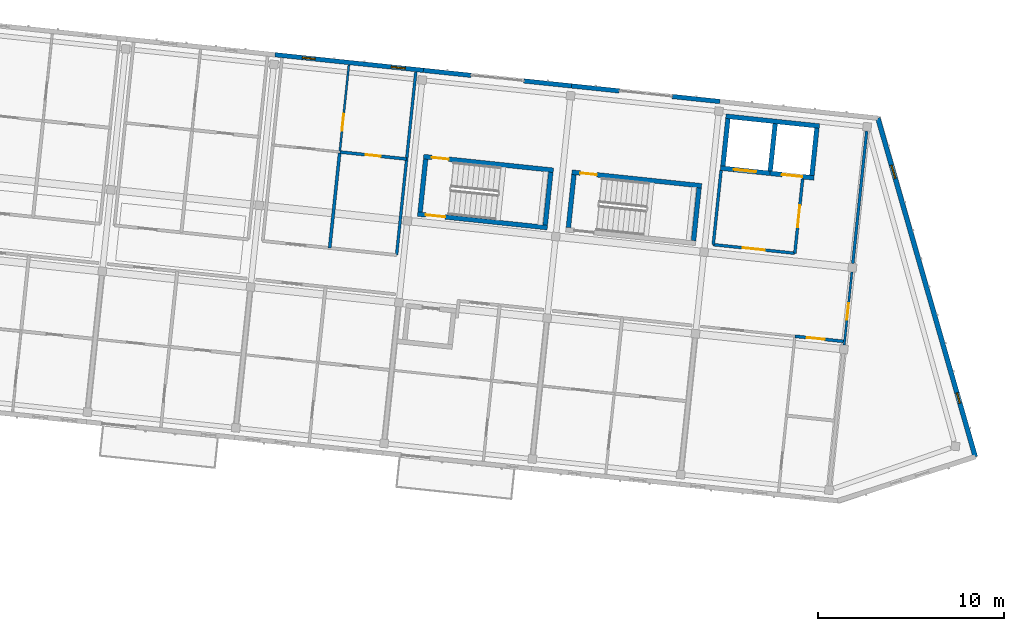
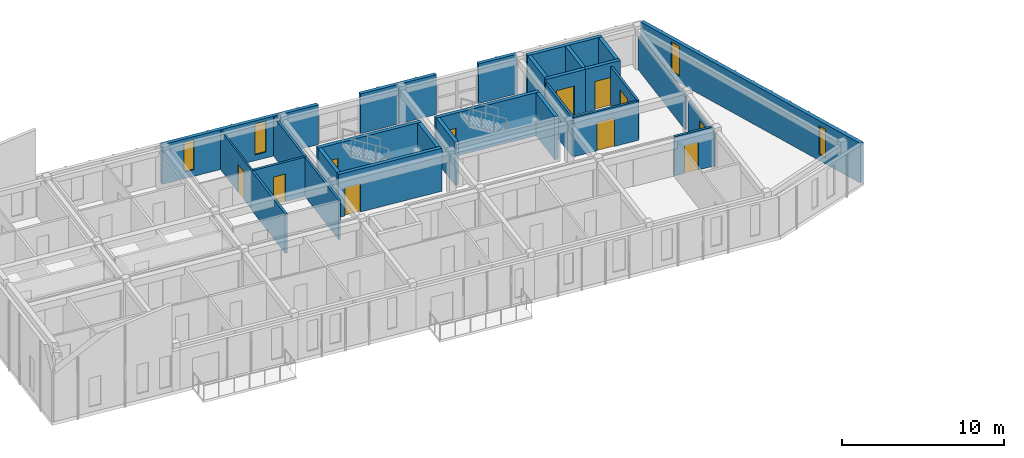
# One storey, part 27 of 45: 29 walls, 11 doors, 4 windows, 15 openings.
"""IFC4 building model written with IfcOpenShell, lengths in metres."""

from ifc_helpers import new_model, si_unit, direction, frame, frame_2d, origin, place, context, subcontext, project, spatial, rectangle, extrude, material, layer, layer_set, type_object, element, fill, save


model = new_model("IFC4")

# Units and contexts
model_context = context("Model", 3, precision=1e-05, world=origin(), true_north=direction((0.0, 1.0)))
body_context = subcontext(model_context, "Body", "Model", "MODEL_VIEW")
ifc_project = project(units=[si_unit("LENGTHUNIT", "METRE"), si_unit("AREAUNIT", "SQUARE_METRE"), si_unit("VOLUMEUNIT", "CUBIC_METRE"), si_unit("PLANEANGLEUNIT", "RADIAN"), si_unit("MASSUNIT", "GRAM", prefix="KILO")], contexts=[model_context])

# Site, building, storey
site_placement = place(None, origin())
site = spatial("IfcSite", under=ifc_project, at=site_placement, CompositionType="ELEMENT")
building_placement = place(site_placement, origin())
building = spatial("IfcBuilding", under=site, at=building_placement, Name="Kestramere Prow Commons", CompositionType="ELEMENT")
storey_placement = place(building_placement, frame((0.0, 0.0, 31.14990234375)))
storey = spatial("IfcBuildingStorey", under=building, at=storey_placement, Name="L09", CompositionType="ELEMENT", Elevation=31.14990234375)

# Wall, openings, windows
ifc_material_1 = material(Name="Weathered Zinc-Titanium Standing-Seam Cladding")
ifc_layer_1 = layer(ifc_material_1, 0.260009765625)
ifc_layer_set_1 = layer_set([ifc_layer_1], Name="Weathered Zinc-Titanium Standing-Seam Cladding")
wall_type_1 = type_object("IfcWallType", Name="EW-PROW-260", PredefinedType="SOLIDWALL", material=ifc_layer_set_1)
wall_1_placement = place(storey_placement, frame((160.36279296875, 109.742431640625, 0.0), z_axis=(0.0, 0.0, 1.0), x_axis=(0.276322184526, -0.961065060409, 0.0)))
wall_1 = element("IfcWall", 1, at=wall_1_placement, inside=storey, type_object=wall_type_1, Name="Block B L09 PRW-N Facet Wall", PredefinedType="SOLIDWALL", context=body_context, shape_type="SweptSolid", body=[
    extrude(rectangle(XDim=18.90673828125, YDim=0.260009765625, at=frame_2d((9.453369140625, 0.0))), origin(), (0.0, 0.0, 1.0), 3.0),
])
opening_1_placement = place(wall_1_placement, frame((2.6298828125, 0.0, 0.52001953125)))
opening_1 = element("IfcOpeningElement", 2, at=opening_1_placement, cuts=wall_1, Name="Opening WN-09", PredefinedType="OPENING", context=body_context, shape_type="SweptSolid", body=[
    extrude(rectangle(XDim=0.739990234375, YDim=2.260009765625, at=frame_2d((0.3701171875, 1.1298828125))), frame((0.0, 0.14501953125, 0.0), z_axis=(0.0, -1.0, 0.0), x_axis=(1.0, 0.0, 0.0)), (0.0, 0.0, 1.0), 0.2900390625),
])
opening_2_placement = place(wall_1_placement, frame((15.336669921875, 0.0, 0.449951171875)))
opening_2 = element("IfcOpeningElement", 3, at=opening_2_placement, cuts=wall_1, Name="Opening WN-01", PredefinedType="OPENING", context=body_context, shape_type="SweptSolid", body=[
    extrude(rectangle(XDim=0.580078125, YDim=2.159912109375, at=frame_2d((0.2900390625, 1.080078125))), frame((0.0, 0.14501953125, 0.0), z_axis=(0.0, -1.0, 0.0), x_axis=(1.0, 0.0, 0.0)), (0.0, 0.0, 1.0), 0.2900390625),
])
ifc_material_2 = material(Name="Low-E Laminated Double Glazing", Category="glass")
window_type_1 = type_object("IfcWindowType", Name="WN-NAR-580A", PartitioningType="SINGLE_PANEL", PredefinedType="WINDOW", material=ifc_material_2)
window_1_placement = place(opening_2_placement, origin())
window_1 = element("IfcWindow", 4, at=window_1_placement, inside=storey, type_object=window_type_1, Name="WN-B-L09-PRW-N-1", OverallHeight=2.159912109375, OverallWidth=0.580078125, PartitioningType="SINGLE_PANEL", PredefinedType="WINDOW", context=body_context, shape_type="SweptSolid", body=[
    extrude(rectangle(XDim=0.580078125, YDim=2.159912109375, at=frame_2d((0.2900390625, 1.080078125))), frame((0.0, 0.030029296875, 0.0), z_axis=(0.0, -1.0, 0.0), x_axis=(1.0, 0.0, 0.0)), (0.0, 0.0, 1.0), 0.06005859375),
])
fill(opening_2, window_1)
window_type_2 = type_object("IfcWindowType", Name="WN-NAR-740A", PartitioningType="SINGLE_PANEL", PredefinedType="WINDOW", material=ifc_material_2)
window_2_placement = place(opening_1_placement, origin())
window_2 = element("IfcWindow", 5, at=window_2_placement, inside=storey, type_object=window_type_2, Name="WN-B-L09-PRW-N-0", OverallHeight=2.260009765625, OverallWidth=0.739990234375, PartitioningType="SINGLE_PANEL", PredefinedType="WINDOW", context=body_context, shape_type="SweptSolid", body=[
    extrude(rectangle(XDim=0.739990234375, YDim=2.260009765625, at=frame_2d((0.3701171875, 1.1298828125))), frame((0.0, 0.030029296875, 0.0), z_axis=(0.0, -1.0, 0.0), x_axis=(1.0, 0.0, 0.0)), (0.0, 0.0, 1.0), 0.06005859375),
])
fill(opening_1, window_2)

ifc_material_3 = material(Name="Fluoropolymer Standing-Seam Zinc-Aluminium Cladding", Category="aluminium")
ifc_layer_2 = layer(ifc_material_3, 0.239990234375)
ifc_layer_set_2 = layer_set([ifc_layer_2], Name="Fluoropolymer Standing-Seam Zinc-Aluminium Cladding")
wall_type_2 = type_object("IfcWallType", Name="EW-SEAM-240", PredefinedType="SOLIDWALL", material=ifc_layer_set_2)
wall_2_placement = place(storey_placement, frame((128.015869140625, 113.142333984375, 0.0), z_axis=(0.0, 0.0, 1.0), x_axis=(0.994522662826, -0.104521161134, 0.0)))
wall_2 = element("IfcWall", 6, at=wall_2_placement, inside=storey, type_object=wall_type_2, Name="Block B L09 North Standing-Seam Wall 3", PredefinedType="SOLIDWALL", context=body_context, shape_type="SweptSolid", body=[
    extrude(rectangle(XDim=8.0, YDim=0.239990234375, at=frame_2d((4.0, 0.0))), origin(), (0.0, 0.0, 1.0), 3.0),
])
opening_3_placement = place(wall_2_placement, frame((1.47998046875, 0.0, 0.5)))
opening_3 = element("IfcOpeningElement", 7, at=opening_3_placement, cuts=wall_2, Name="Opening WN-06", PredefinedType="OPENING", context=body_context, shape_type="SweptSolid", body=[
    extrude(rectangle(XDim=0.679931640625, YDim=2.239990234375, at=frame_2d((0.33984375, 1.1201171875))), frame((0.0, 0.135009765625, 0.0), z_axis=(0.0, -1.0, 0.0), x_axis=(1.0, 0.0, 0.0)), (0.0, 0.0, 1.0), 0.27001953125),
])
opening_4_placement = place(wall_2_placement, frame((6.2705078125, 0.0, 0.43994140625)))
opening_4 = element("IfcOpeningElement", 8, at=opening_4_placement, cuts=wall_2, Name="Opening WN-10", PredefinedType="OPENING", context=body_context, shape_type="SweptSolid", body=[
    extrude(rectangle(XDim=0.760009765625, YDim=2.340087890625, at=frame_2d((0.3798828125, 1.169921875))), frame((0.0, 0.135009765625, 0.0), z_axis=(0.0, -1.0, 0.0), x_axis=(1.0, 0.0, 0.0)), (0.0, 0.0, 1.0), 0.27001953125),
])
window_type_3 = type_object("IfcWindowType", Name="WN-NAR-680A", PartitioningType="SINGLE_PANEL", PredefinedType="WINDOW", material=ifc_material_2)
window_3_placement = place(opening_3_placement, origin())
window_3 = element("IfcWindow", 9, at=window_3_placement, inside=storey, type_object=window_type_3, Name="WN-B-L09-N-2-0", OverallHeight=2.239990234375, OverallWidth=0.679931640625, PartitioningType="SINGLE_PANEL", PredefinedType="WINDOW", context=body_context, shape_type="SweptSolid", body=[
    extrude(rectangle(XDim=0.679931640625, YDim=2.239990234375, at=frame_2d((0.33984375, 1.1201171875))), frame((0.0, 0.030029296875, 0.0), z_axis=(0.0, -1.0, 0.0), x_axis=(1.0, 0.0, 0.0)), (0.0, 0.0, 1.0), 0.06005859375),
])
fill(opening_3, window_3)
window_type_4 = type_object("IfcWindowType", Name="WN-NAR-760A", PartitioningType="SINGLE_PANEL", PredefinedType="WINDOW", material=ifc_material_2)
window_4_placement = place(opening_4_placement, origin())
window_4 = element("IfcWindow", 10, at=window_4_placement, inside=storey, type_object=window_type_4, Name="WN-B-L09-N-2-1", OverallHeight=2.340087890625, OverallWidth=0.760009765625, PartitioningType="SINGLE_PANEL", PredefinedType="WINDOW", context=body_context, shape_type="SweptSolid", body=[
    extrude(rectangle(XDim=0.760009765625, YDim=2.340087890625, at=frame_2d((0.3798828125, 1.169921875))), frame((0.0, 0.030029296875, 0.0), z_axis=(0.0, -1.0, 0.0), x_axis=(1.0, 0.0, 0.0)), (0.0, 0.0, 1.0), 0.06005859375),
])
fill(opening_4, window_4)

# Walls
for number, where, z_axis, x_axis, name in (
    (11, (135.97216796875, 112.30615234375, 0.0), (0.0, 0.0, 1.0), (0.99451635776, -0.104581136677, 0.0), "Block B L09 North Standing-Seam Pier 4L"),
    (12, (141.367431640625, 111.739013671875, 0.0), (0.0, 0.0, 1.0), (0.99451635776, -0.104581136677, 0.0), "Block B L09 North Standing-Seam Pier 4R"),
):
    element("IfcWall", number, at=place(storey_placement, frame(where, z_axis=z_axis, x_axis=x_axis)), inside=storey, type_object=wall_type_2, Name=name, PredefinedType="SOLIDWALL", context=body_context, shape_type="SweptSolid", body=[
        extrude(rectangle(XDim=2.574951171875, YDim=0.239990234375, at=frame_2d((1.28759765625, 0.0))), origin(), (0.0, 0.0, 1.0), 3.0),
    ])
wall_3_placement = place(storey_placement, frame((143.92822265625, 111.4697265625, 0.0), z_axis=(0.0, 0.0, 1.0), x_axis=(0.994527249958, -0.104477505191, 0.0)))
element("IfcWall", 13, at=wall_3_placement, inside=storey, type_object=wall_type_2, Name="Block B L09 North Standing-Seam Pier 5L", PredefinedType="SOLIDWALL", context=body_context, shape_type="SweptSolid", body=[
    extrude(rectangle(XDim=2.5751953125, YDim=0.239990234375, at=frame_2d((1.28759765625, 0.0))), origin(), (0.0, 0.0, 1.0), 3.0),
])
wall_4_placement = place(storey_placement, frame((149.32373046875, 110.90283203125, 0.0), z_axis=(0.0, 0.0, 1.0), x_axis=(0.99451635776, -0.104581136677, 0.0)))
element("IfcWall", 14, at=wall_4_placement, inside=storey, type_object=wall_type_2, Name="Block B L09 North Standing-Seam Pier 5R", PredefinedType="SOLIDWALL", context=body_context, shape_type="SweptSolid", body=[
    extrude(rectangle(XDim=2.574951171875, YDim=0.239990234375, at=frame_2d((1.28759765625, 0.0))), origin(), (0.0, 0.0, 1.0), 3.0),
])
ifc_material_4 = material(Name="Concrete C40/50", Category="concrete")
ifc_layer_3 = layer(ifc_material_4, 0.25)
ifc_layer_set_3 = layer_set([ifc_layer_3], Name="Concrete C40/50")
wall_type_3 = type_object("IfcWallType", Name="W-CORE-250", PredefinedType="SHEAR", material=ifc_layer_set_3)
wall_5_placement = place(storey_placement, frame((152.203857421875, 109.845947265625, 0.0), z_axis=(0.0, 0.0, 1.0), x_axis=(0.994522922189, -0.104518693261, 0.0)))
element("IfcWall", 15, at=wall_5_placement, inside=storey, type_object=wall_type_3, Name="Block B L09 Lift Core Back Wall", PredefinedType="SHEAR", context=body_context, shape_type="SweptSolid", body=[
    extrude(rectangle(XDim=5.050048828125, YDim=0.25, at=frame_2d((2.52490234375, 0.0))), origin(), (0.0, 0.0, 1.0), 3.25),
])

# Wall, opening, door
wall_6_placement = place(storey_placement, frame((151.9111328125, 107.061279296875, 0.0), z_axis=(0.0, 0.0, 1.0), x_axis=(0.994524939068, -0.104499500343, 0.0)))
wall_6 = element("IfcWall", 16, at=wall_6_placement, inside=storey, type_object=wall_type_3, Name="Block B L09 Fire Lift Shaft Front Wall", PredefinedType="SHEAR", context=body_context, shape_type="SweptSolid", body=[
    extrude(rectangle(XDim=2.675048828125, YDim=0.25, at=frame_2d((1.33740234375, 0.0))), origin(), (0.0, 0.0, 1.0), 3.25),
])
opening_5_placement = place(wall_6_placement, frame((0.719970703125, 0.0, 0.0)))
opening_5 = element("IfcOpeningElement", 17, at=opening_5_placement, cuts=wall_6, Name="Opening LD-02", PredefinedType="OPENING", context=body_context, shape_type="SweptSolid", body=[
    extrude(rectangle(XDim=1.199951171875, YDim=2.199951171875, at=frame_2d((0.60009765625, 1.10009765625))), frame((0.0, 0.139892578125, 0.0), z_axis=(0.0, -1.0, 0.0), x_axis=(1.0, 0.0, 0.0)), (0.0, 0.0, 1.0), 0.280029296875),
])
ifc_material_5 = material(Name="Brushed Stainless Steel 316", Category="steel")
door_type_1 = type_object("IfcDoorType", Name="LD-02", OperationType="DOUBLE_DOOR_SLIDING", PredefinedType="DOOR", material=ifc_material_5)
door_1_placement = place(opening_5_placement, origin())
door_1 = element("IfcDoor", 18, at=door_1_placement, inside=storey, type_object=door_type_1, Name="FL-B1 L09 Lift Landing Door", OperationType="DOUBLE_DOOR_SLIDING", OverallHeight=2.199951171875, OverallWidth=1.199951171875, PredefinedType="DOOR", context=body_context, shape_type="SweptSolid", body=[
    extrude(rectangle(XDim=1.199951171875, YDim=2.199951171875, at=frame_2d((0.60009765625, 1.10009765625))), frame((0.0, 0.02490234375, 0.0), z_axis=(0.0, -1.0, 0.0), x_axis=(1.0, 0.0, 0.0)), (0.0, 0.0, 1.0), 0.050048828125),
])
fill(opening_5, door_1)

wall_7_placement = place(storey_placement, frame((154.571533203125, 106.78173828125, 0.0), z_axis=(0.0, 0.0, 1.0), x_axis=(0.994520650134, -0.1045403102, 0.0)))
wall_7 = element("IfcWall", 19, at=wall_7_placement, inside=storey, type_object=wall_type_3, Name="Block B L09 Passenger Lift Shaft Front Wall", PredefinedType="SHEAR", context=body_context, shape_type="SweptSolid", body=[
    extrude(rectangle(XDim=2.375, YDim=0.25, at=frame_2d((1.1875, 0.0))), origin(), (0.0, 0.0, 1.0), 3.25),
])
opening_6_placement = place(wall_7_placement, frame((0.64990234375, 0.0, 0.0)))
opening_6 = element("IfcOpeningElement", 20, at=opening_6_placement, cuts=wall_7, Name="Opening LD-01", PredefinedType="OPENING", context=body_context, shape_type="SweptSolid", body=[
    extrude(rectangle(XDim=1.10009765625, YDim=2.14990234375, at=frame_2d((0.550048828125, 1.074951171875))), frame((0.0, 0.139892578125, 0.0), z_axis=(0.0, -1.0, 0.0), x_axis=(1.0, 0.0, 0.0)), (0.0, 0.0, 1.0), 0.280029296875),
])
ifc_material_6 = material(Name="Brushed Stainless Steel 304", Category="steel")
door_type_2 = type_object("IfcDoorType", Name="LD-01", OperationType="DOUBLE_DOOR_SLIDING", PredefinedType="DOOR", material=ifc_material_6)
door_2_placement = place(opening_6_placement, origin())
door_2 = element("IfcDoor", 21, at=door_2_placement, inside=storey, type_object=door_type_2, Name="PL-B2 L09 Lift Landing Door", OperationType="DOUBLE_DOOR_SLIDING", OverallHeight=2.14990234375, OverallWidth=1.10009765625, PredefinedType="DOOR", context=body_context, shape_type="SweptSolid", body=[
    extrude(rectangle(XDim=1.10009765625, YDim=2.14990234375, at=frame_2d((0.550048828125, 1.074951171875))), frame((0.0, 0.02490234375, 0.0), z_axis=(0.0, -1.0, 0.0), x_axis=(1.0, 0.0, 0.0)), (0.0, 0.0, 1.0), 0.050048828125),
])
fill(opening_6, door_2)

# Walls
for number, where, z_axis, x_axis, name in (
    (22, (152.048583984375, 107.172607421875, 0.0), (0.0, 0.0, 1.0), (0.104555197931, 0.994519085079, 0.0), "Block B L09 Lift Core Side Wall L"),
    (23, (154.584716796875, 106.906005859375, 0.0), (0.0, 0.0, 1.0), (0.104555197931, 0.994519085079, 0.0), "Block B L09 Lift Core Side Wall M"),
):
    element("IfcWall", number, at=place(storey_placement, frame(where, z_axis=z_axis, x_axis=x_axis)), inside=storey, type_object=wall_type_3, Name=name, PredefinedType="SHEAR", context=body_context, shape_type="SweptSolid", body=[
        extrude(rectangle(XDim=2.5498046875, YDim=0.25, at=frame_2d((1.27490234375, 0.0))), origin(), (0.0, 0.0, 1.0), 3.25),
    ])
wall_8_placement = place(storey_placement, frame((156.822265625, 106.670654296875, 0.0), z_axis=(0.0, 0.0, 1.0), x_axis=(0.104545242946, 0.99452013161, 0.0)))
element("IfcWall", 24, at=wall_8_placement, inside=storey, type_object=wall_type_3, Name="Block B L09 Lift Core Side Wall R", PredefinedType="SHEAR", context=body_context, shape_type="SweptSolid", body=[
    extrude(rectangle(XDim=2.550048828125, YDim=0.25, at=frame_2d((1.27490234375, 0.0))), origin(), (0.0, 0.0, 1.0), 3.25),
])

# Wall, opening, door
wall_9_placement = place(storey_placement, frame((135.988525390625, 107.678955078125, 0.0), z_axis=(0.0, 0.0, 1.0), x_axis=(0.994522066748, -0.104526832686, 0.0)))
wall_9 = element("IfcWall", 25, at=wall_9_placement, inside=storey, type_object=wall_type_3, Name="ST-B1 L09 North Shaft Wall", PredefinedType="SHEAR", context=body_context, shape_type="SweptSolid", body=[
    extrude(rectangle(XDim=7.0, YDim=0.25, at=frame_2d((3.5, 0.0))), origin(), (0.0, 0.0, 1.0), 3.25),
])
opening_7_placement = place(wall_9_placement, frame((0.449951171875, 0.0, 0.0)))
opening_7 = element("IfcOpeningElement", 26, at=opening_7_placement, cuts=wall_9, Name="Opening ID-08", PredefinedType="OPENING", context=body_context, shape_type="SweptSolid", body=[
    extrude(rectangle(XDim=0.89990234375, YDim=2.10009765625, at=frame_2d((0.449951171875, 1.050048828125))), frame((0.0, 0.139892578125, 0.0), z_axis=(0.0, -1.0, 0.0), x_axis=(1.0, 0.0, 0.0)), (0.0, 0.0, 1.0), 0.280029296875),
])
ifc_material_7 = material(Name="Engineered Timber Flush Door", Category="wood")
door_type_3 = type_object("IfcDoorType", Name="D-RM-01", OperationType="NOTDEFINED", PredefinedType="DOOR", material=ifc_material_7)
door_3_placement = place(opening_7_placement, origin())
door_3 = element("IfcDoor", 27, at=door_3_placement, inside=storey, type_object=door_type_3, Name="ST-B1 L09 North Room Door", OperationType="SINGLE_SWING_RIGHT", OverallHeight=2.10009765625, OverallWidth=0.89990234375, PredefinedType="DOOR", context=body_context, shape_type="SweptSolid", body=[
    extrude(rectangle(XDim=0.89990234375, YDim=2.10009765625, at=frame_2d((0.449951171875, 1.050048828125))), frame((0.0, 0.02490234375, 0.0), z_axis=(0.0, -1.0, 0.0), x_axis=(1.0, 0.0, 0.0)), (0.0, 0.0, 1.0), 0.050048828125),
])
fill(opening_7, door_3)

wall_10_placement = place(storey_placement, frame((135.66455078125, 104.595947265625, 0.0), z_axis=(0.0, 0.0, 1.0), x_axis=(0.994522066748, -0.104526832686, 0.0)))
wall_10 = element("IfcWall", 28, at=wall_10_placement, inside=storey, type_object=wall_type_3, Name="ST-B1 L09 Corridor Shaft Wall", PredefinedType="SHEAR", context=body_context, shape_type="SweptSolid", body=[
    extrude(rectangle(XDim=7.0, YDim=0.25, at=frame_2d((3.5, 0.0))), origin(), (0.0, 0.0, 1.0), 3.25),
])
opening_8_placement = place(wall_10_placement, frame((0.449951171875, 0.0, 0.0)))
opening_8 = element("IfcOpeningElement", 29, at=opening_8_placement, cuts=wall_10, Name="Opening ID-01", PredefinedType="OPENING", context=body_context, shape_type="SweptSolid", body=[
    extrude(rectangle(XDim=1.050048828125, YDim=2.14990234375, at=frame_2d((0.52490234375, 1.074951171875))), frame((0.0, 0.139892578125, 0.0), z_axis=(0.0, -1.0, 0.0), x_axis=(1.0, 0.0, 0.0)), (0.0, 0.0, 1.0), 0.280029296875),
])
ifc_material_8 = material(Name="Fire-Rated Timber and Steel Frame", Category="steel")
door_type_4 = type_object("IfcDoorType", Name="FD-ST-01", OperationType="NOTDEFINED", PredefinedType="DOOR", material=ifc_material_8)
door_4_placement = place(opening_8_placement, origin())
door_4 = element("IfcDoor", 30, at=door_4_placement, inside=storey, type_object=door_type_4, Name="ST-B1 L09 Protected Stair Door", OperationType="SINGLE_SWING_RIGHT", OverallHeight=2.14990234375, OverallWidth=1.050048828125, PredefinedType="DOOR", context=body_context, shape_type="SweptSolid", body=[
    extrude(rectangle(XDim=1.050048828125, YDim=2.14990234375, at=frame_2d((0.52490234375, 1.074951171875))), frame((0.0, 0.02490234375, 0.0), z_axis=(0.0, -1.0, 0.0), x_axis=(1.0, 0.0, 0.0)), (0.0, 0.0, 1.0), 0.050048828125),
])
fill(opening_8, door_4)

# Walls
for number, where, z_axis, x_axis, name in (
    (31, (135.802001953125, 104.707275390625, 0.0), (0.0, 0.0, 1.0), (0.104515324063, 0.994523276267, 0.0), "ST-B1 L09 Near Shaft Wall"),
    (32, (142.514892578125, 104.001708984375, 0.0), (0.0, 0.0, 1.0), (0.104515324063, 0.994523276267, 0.0), "ST-B1 L09 Far Shaft Wall"),
):
    element("IfcWall", number, at=place(storey_placement, frame(where, z_axis=z_axis, x_axis=x_axis)), inside=storey, type_object=wall_type_3, Name=name, PredefinedType="SHEAR", context=body_context, shape_type="SweptSolid", body=[
        extrude(rectangle(XDim=2.849853515625, YDim=0.25, at=frame_2d((1.4248046875, 0.0))), origin(), (0.0, 0.0, 1.0), 3.25),
    ])

# Wall, opening, door
wall_11_placement = place(storey_placement, frame((143.94482421875, 106.8427734375, 0.0), z_axis=(0.0, 0.0, 1.0), x_axis=(0.994522066748, -0.104526832686, 0.0)))
wall_11 = element("IfcWall", 33, at=wall_11_placement, inside=storey, type_object=wall_type_3, Name="ST-B2 L09 North Shaft Wall", PredefinedType="SHEAR", context=body_context, shape_type="SweptSolid", body=[
    extrude(rectangle(XDim=7.0, YDim=0.25, at=frame_2d((3.5, 0.0))), origin(), (0.0, 0.0, 1.0), 3.25),
])
opening_9_placement = place(wall_11_placement, frame((0.449951171875, 0.0, 0.0)))
opening_9 = element("IfcOpeningElement", 34, at=opening_9_placement, cuts=wall_11, Name="Opening ID-08", PredefinedType="OPENING", context=body_context, shape_type="SweptSolid", body=[
    extrude(rectangle(XDim=0.89990234375, YDim=2.10009765625, at=frame_2d((0.449951171875, 1.050048828125))), frame((0.0, 0.139892578125, 0.0), z_axis=(0.0, -1.0, 0.0), x_axis=(1.0, 0.0, 0.0)), (0.0, 0.0, 1.0), 0.280029296875),
])
door_5_placement = place(opening_9_placement, origin())
door_5 = element("IfcDoor", 35, at=door_5_placement, inside=storey, type_object=door_type_3, Name="ST-B2 L09 North Room Door", OperationType="SINGLE_SWING_RIGHT", OverallHeight=2.10009765625, OverallWidth=0.89990234375, PredefinedType="DOOR", context=body_context, shape_type="SweptSolid", body=[
    extrude(rectangle(XDim=0.89990234375, YDim=2.10009765625, at=frame_2d((0.449951171875, 1.050048828125))), frame((0.0, 0.02490234375, 0.0), z_axis=(0.0, -1.0, 0.0), x_axis=(1.0, 0.0, 0.0)), (0.0, 0.0, 1.0), 0.050048828125),
])
fill(opening_9, door_5)

# Walls
for number, where, z_axis, x_axis, name in (
    (36, (143.758056640625, 103.87109375, 0.0), (0.0, 0.0, 1.0), (0.104515324063, 0.994523276267, 0.0), "ST-B2 L09 Near Shaft Wall"),
    (37, (150.47119140625, 103.16552734375, 0.0), (0.0, 0.0, 1.0), (0.104515324063, 0.994523276267, 0.0), "ST-B2 L09 Far Shaft Wall"),
):
    element("IfcWall", number, at=place(storey_placement, frame(where, z_axis=z_axis, x_axis=x_axis)), inside=storey, type_object=wall_type_3, Name=name, PredefinedType="SHEAR", context=body_context, shape_type="SweptSolid", body=[
        extrude(rectangle(XDim=2.849853515625, YDim=0.25, at=frame_2d((1.4248046875, 0.0))), origin(), (0.0, 0.0, 1.0), 3.25),
    ])

# Wall, opening, door
ifc_material_9 = material(Name="Fire-Rated Calcium Silicate Wall")
ifc_layer_4 = layer(ifc_material_9, 0.155029296875)
ifc_layer_set_4 = layer_set([ifc_layer_4], Name="Fire-Rated Calcium Silicate Wall")
wall_type_4 = type_object("IfcWallType", Name="W-FIRE-150", PredefinedType="PARTITIONING", material=ifc_layer_set_4)
wall_12_placement = place(storey_placement, frame((151.52978515625, 102.95361328125, 0.0), z_axis=(0.0, 0.0, 1.0), x_axis=(0.994521251134, -0.104534592565, 0.0)))
wall_12 = element("IfcWall", 38, at=wall_12_placement, inside=storey, type_object=wall_type_4, Name="Interior Partition PW-B-L09-FFL-S", PredefinedType="PARTITIONING", context=body_context, shape_type="SweptSolid", body=[
    extrude(rectangle(XDim=4.400146484375, YDim=0.155029296875, at=frame_2d((2.2001953125, 0.0))), origin(), (0.0, 0.0, 1.0), 2.97021484375),
])
opening_10_placement = place(wall_12_placement, frame((1.60009765625, 0.0, 0.0)))
opening_10 = element("IfcOpeningElement", 39, at=opening_10_placement, cuts=wall_12, Name="Opening ID-03", PredefinedType="OPENING", context=body_context, shape_type="SweptSolid", body=[
    extrude(rectangle(XDim=1.179931640625, YDim=2.14990234375, at=frame_2d((0.58984375, 1.074951171875))), frame((0.0, 0.092529296875, 0.0), z_axis=(0.0, -1.0, 0.0), x_axis=(1.0, 0.0, 0.0)), (0.0, 0.0, 1.0), 0.18505859375),
])
ifc_material_10 = material(Name="Fire-Rated Glazed Smoke-Stop Door")
door_type_5 = type_object("IfcDoorType", Name="FD-LB-01", OperationType="NOTDEFINED", PredefinedType="DOOR", material=ifc_material_10)
door_6_placement = place(opening_10_placement, origin())
door_6 = element("IfcDoor", 40, at=door_6_placement, inside=storey, type_object=door_type_5, Name="Interior Door DR-B-L09-FFL", OperationType="SINGLE_SWING_RIGHT", OverallHeight=2.14990234375, OverallWidth=1.179931640625, PredefinedType="DOOR", context=body_context, shape_type="SweptSolid", body=[
    extrude(rectangle(XDim=1.179931640625, YDim=2.14990234375, at=frame_2d((0.58984375, 1.074951171875))), frame((0.0, 0.02490234375, 0.0), z_axis=(0.0, -1.0, 0.0), x_axis=(1.0, 0.0, 0.0)), (0.0, 0.0, 1.0), 0.050048828125),
])
fill(opening_10, door_6)

# Wall
wall_13_placement = place(storey_placement, frame((151.52978515625, 102.95361328125, 0.0), z_axis=(0.0, 0.0, 1.0), x_axis=(0.104554517933, 0.994519156568, 0.0)))
element("IfcWall", 41, at=wall_13_placement, inside=storey, type_object=wall_type_4, Name="Interior Partition PW-B-L09-FFL-W", PredefinedType="PARTITIONING", context=body_context, shape_type="SweptSolid", body=[
    extrude(rectangle(XDim=4.0, YDim=0.155029296875, at=frame_2d((2.0, 0.0))), origin(), (0.0, 0.0, 1.0), 2.97021484375),
])

# Wall, opening, door
wall_14_placement = place(storey_placement, frame((155.90576171875, 102.49365234375, 0.0), z_axis=(0.0, 0.0, 1.0), x_axis=(0.104494148666, 0.99452550138, 0.0)))
wall_14 = element("IfcWall", 42, at=wall_14_placement, inside=storey, type_object=wall_type_4, Name="Interior Partition PW-B-L09-FFL-E", PredefinedType="PARTITIONING", context=body_context, shape_type="SweptSolid", body=[
    extrude(rectangle(XDim=4.0, YDim=0.155029296875, at=frame_2d((2.0, 0.0))), origin(), (0.0, 0.0, 1.0), 2.97021484375),
])
opening_11_placement = place(wall_14_placement, frame((1.39990234375, 0.0, 0.0)))
opening_11 = element("IfcOpeningElement", 43, at=opening_11_placement, cuts=wall_14, Name="Opening ID-03", PredefinedType="OPENING", context=body_context, shape_type="SweptSolid", body=[
    extrude(rectangle(XDim=1.179931640625, YDim=2.14990234375, at=frame_2d((0.58984375, 1.074951171875))), frame((0.0, 0.092529296875, 0.0), z_axis=(0.0, -1.0, 0.0), x_axis=(1.0, 0.0, 0.0)), (0.0, 0.0, 1.0), 0.18505859375),
])
door_7_placement = place(opening_11_placement, origin())
door_7 = element("IfcDoor", 44, at=door_7_placement, inside=storey, type_object=door_type_5, Name="Interior Door DR-B-L09-FFL-PL", OperationType="SINGLE_SWING_LEFT", OverallHeight=2.14990234375, OverallWidth=1.179931640625, PredefinedType="DOOR", context=body_context, shape_type="SweptSolid", body=[
    extrude(rectangle(XDim=1.179931640625, YDim=2.14990234375, at=frame_2d((0.58984375, 1.074951171875))), frame((0.0, 0.02490234375, 0.0), z_axis=(0.0, -1.0, 0.0), x_axis=(1.0, 0.0, 0.0)), (0.0, 0.0, 1.0), 0.050048828125),
])
fill(opening_11, door_7)

ifc_material_11 = material(Name="Gypsum Acoustic Drywall")
ifc_layer_5 = layer(ifc_material_11, 0.110107421875)
ifc_layer_set_5 = layer_set([ifc_layer_5], Name="Gypsum Acoustic Drywall")
wall_type_5 = type_object("IfcWallType", Name="W-PART-110", PredefinedType="PARTITIONING", material=ifc_layer_set_5)
wall_15_placement = place(storey_placement, frame((131.48974609375, 107.925537109375, 0.0), z_axis=(0.0, 0.0, 1.0), x_axis=(0.104527618124, 0.994521984196, 0.0)))
wall_15 = element("IfcWall", 45, at=wall_15_placement, inside=storey, type_object=wall_type_5, Name="Interior Partition PW-B-L09-LB-N2", PredefinedType="PARTITIONING", context=body_context, shape_type="SweptSolid", body=[
    extrude(rectangle(XDim=4.68994140625, YDim=0.110107421875, at=frame_2d((2.344970703125, 0.0))), origin(), (0.0, 0.0, 1.0), 2.97021484375),
])
opening_12_placement = place(wall_15_placement, frame((1.14990234375, 0.0, 0.0)))
opening_12 = element("IfcOpeningElement", 46, at=opening_12_placement, cuts=wall_15, Name="Opening ID-08", PredefinedType="OPENING", context=body_context, shape_type="SweptSolid", body=[
    extrude(rectangle(XDim=0.89990234375, YDim=2.10009765625, at=frame_2d((0.449951171875, 1.050048828125))), frame((0.0, 0.070068359375, 0.0), z_axis=(0.0, -1.0, 0.0), x_axis=(1.0, 0.0, 0.0)), (0.0, 0.0, 1.0), 0.14013671875),
])
door_8_placement = place(opening_12_placement, origin())
door_8 = element("IfcDoor", 47, at=door_8_placement, inside=storey, type_object=door_type_3, Name="Interior Door DR-B-L09-BED-N2", OperationType="SINGLE_SWING_LEFT", OverallHeight=2.10009765625, OverallWidth=0.89990234375, PredefinedType="DOOR", context=body_context, shape_type="SweptSolid", body=[
    extrude(rectangle(XDim=0.89990234375, YDim=2.10009765625, at=frame_2d((0.449951171875, 1.050048828125))), frame((0.0, 0.02490234375, 0.0), z_axis=(0.0, -1.0, 0.0), x_axis=(1.0, 0.0, 0.0)), (0.0, 0.0, 1.0), 0.050048828125),
])
fill(opening_12, door_8)

ifc_material_12 = material(Name="Lightweight Blockwork and Plaster", Category="masonry")
ifc_layer_6 = layer(ifc_material_12, 0.1201171875)
ifc_layer_set_6 = layer_set([ifc_layer_6], Name="Lightweight Blockwork and Plaster")
wall_type_6 = type_object("IfcWallType", Name="W-PART-120", PredefinedType="PARTITIONING", material=ifc_layer_set_6)
wall_16_placement = place(storey_placement, frame((158.55615234375, 97.57470703125, 0.0), z_axis=(0.0, 0.0, 1.0), x_axis=(0.104490754769, 0.994525857968, 0.0)))
wall_16 = element("IfcWall", 48, at=wall_16_placement, inside=storey, type_object=wall_type_6, Name="Interior Partition PW-B-L09-PROW-ACC", PredefinedType="PARTITIONING", context=body_context, shape_type="SweptSolid", body=[
    extrude(rectangle(XDim=3.929931640625, YDim=0.1201171875, at=frame_2d((1.96484375, 0.0))), origin(), (0.0, 0.0, 1.0), 2.5),
])
opening_13_placement = place(wall_16_placement, frame((1.35009765625, 0.0, 0.0)))
opening_13 = element("IfcOpeningElement", 49, at=opening_13_placement, cuts=wall_16, Name="Opening ID-08", PredefinedType="OPENING", context=body_context, shape_type="SweptSolid", body=[
    extrude(rectangle(XDim=0.89990234375, YDim=2.10009765625, at=frame_2d((0.449951171875, 1.050048828125))), frame((0.0, 0.074951171875, 0.0), z_axis=(0.0, -1.0, 0.0), x_axis=(1.0, 0.0, 0.0)), (0.0, 0.0, 1.0), 0.150146484375),
])
door_9_placement = place(opening_13_placement, origin())
door_9 = element("IfcDoor", 50, at=door_9_placement, inside=storey, type_object=door_type_3, Name="Interior Door DR-B-L09-PROW", OperationType="SINGLE_SWING_LEFT", OverallHeight=2.10009765625, OverallWidth=0.89990234375, PredefinedType="DOOR", context=body_context, shape_type="SweptSolid", body=[
    extrude(rectangle(XDim=0.89990234375, YDim=2.10009765625, at=frame_2d((0.449951171875, 1.050048828125))), frame((0.0, 0.02490234375, 0.0), z_axis=(0.0, -1.0, 0.0), x_axis=(1.0, 0.0, 0.0)), (0.0, 0.0, 1.0), 0.050048828125),
])
fill(opening_13, door_9)

# Walls
ifc_material_13 = material(Name="Masonry Compartment Wall", Category="masonry")
ifc_layer_7 = layer(ifc_material_13, 0.14990234375)
ifc_layer_set_7 = layer_set([ifc_layer_7], Name="Masonry Compartment Wall")
wall_type_7 = type_object("IfcWallType", Name="W-PART-150", PredefinedType="PARTITIONING", material=ifc_layer_set_7)
wall_17_placement = place(storey_placement, frame((159.015869140625, 101.95068359375, 0.0), z_axis=(0.0, 0.0, 1.0), x_axis=(0.104540404715, 0.994520640199, 0.0)))
element("IfcWall", 51, at=wall_17_placement, inside=storey, type_object=wall_type_7, Name="Interior Partition PW-B-L09-PRW-N", PredefinedType="PARTITIONING", context=body_context, shape_type="SweptSolid", body=[
    extrude(rectangle(XDim=7.1298828125, YDim=0.14990234375, at=frame_2d((3.56494140625, 0.0))), origin(), (0.0, 0.0, 1.0), 2.5),
])
wall_18_placement = place(storey_placement, frame((134.53857421875, 102.396728515625, 0.0), z_axis=(0.0, 0.0, 1.0), x_axis=(0.104508379977, 0.994524006002, 0.0)))
element("IfcWall", 52, at=wall_18_placement, inside=storey, type_object=wall_type_7, Name="Interior Partition PW-B-L09-NWR-2", PredefinedType="PARTITIONING", context=body_context, shape_type="SweptSolid", body=[
    extrude(rectangle(XDim=9.869873046875, YDim=0.14990234375, at=frame_2d((4.93505859375, 0.0))), origin(), (0.0, 0.0, 1.0), 2.97021484375),
])

# Wall, opening, door
ifc_material_14 = material(Name="Waterproof Sanitary Masonry Wall", Category="masonry")
ifc_layer_8 = layer(ifc_material_14, 0.1650390625)
ifc_layer_set_8 = layer_set([ifc_layer_8], Name="Waterproof Sanitary Masonry Wall")
wall_type_8 = type_object("IfcWallType", Name="W-PLUMB-150", PredefinedType="PLUMBINGWALL", material=ifc_layer_set_8)
wall_19_placement = place(storey_placement, frame((155.91015625, 98.038818359375, 0.0), z_axis=(0.0, 0.0, 1.0), x_axis=(0.994526447543, -0.104485143144, 0.0)))
wall_19 = element("IfcWall", 53, at=wall_19_placement, inside=storey, type_object=wall_type_8, Name="Interior Partition PW-B-L09-CS-5B", PredefinedType="PLUMBINGWALL", context=body_context, shape_type="SweptSolid", body=[
    extrude(rectangle(XDim=2.610107421875, YDim=0.1650390625, at=frame_2d((1.30517578125, 0.0))), origin(), (0.0, 0.0, 1.0), 2.97021484375),
])
opening_14_placement = place(wall_19_placement, frame((0.64990234375, 0.0, 0.0)))
opening_14 = element("IfcOpeningElement", 54, at=opening_14_placement, cuts=wall_19, Name="Opening ID-13", PredefinedType="OPENING", context=body_context, shape_type="SweptSolid", body=[
    extrude(rectangle(XDim=0.9599609375, YDim=2.1201171875, at=frame_2d((0.47998046875, 1.06005859375))), frame((0.0, 0.097412109375, 0.0), z_axis=(0.0, -1.0, 0.0), x_axis=(1.0, 0.0, 0.0)), (0.0, 0.0, 1.0), 0.195068359375),
])
ifc_material_15 = material(Name="Accessible Wide-Leaf Timber Door", Category="wood")
door_type_6 = type_object("IfcDoorType", Name="D-ACC-01", OperationType="NOTDEFINED", PredefinedType="DOOR", material=ifc_material_15)
door_10_placement = place(opening_14_placement, origin())
door_10 = element("IfcDoor", 55, at=door_10_placement, inside=storey, type_object=door_type_6, Name="Interior Door DR-B-L09-SKWC-5", OperationType="SINGLE_SWING_RIGHT", OverallHeight=2.1201171875, OverallWidth=0.9599609375, PredefinedType="DOOR", context=body_context, shape_type="SweptSolid", body=[
    extrude(rectangle(XDim=0.9599609375, YDim=2.1201171875, at=frame_2d((0.47998046875, 1.06005859375))), frame((0.0, 0.02490234375, 0.0), z_axis=(0.0, -1.0, 0.0), x_axis=(1.0, 0.0, 0.0)), (0.0, 0.0, 1.0), 0.050048828125),
])
fill(opening_14, door_10)

wall_20_placement = place(storey_placement, frame((131.48974609375, 107.925537109375, 0.0), z_axis=(0.0, 0.0, 1.0), x_axis=(0.994525816262, -0.104491151726, 0.0)))
wall_20 = element("IfcWall", 56, at=wall_20_placement, inside=storey, type_object=wall_type_8, Name="Interior Partition PW-B-L09-MIDN2-2", PredefinedType="PLUMBINGWALL", context=body_context, shape_type="SweptSolid", body=[
    extrude(rectangle(XDim=3.60986328125, YDim=0.1650390625, at=frame_2d((1.804931640625, 0.0))), origin(), (0.0, 0.0, 1.0), 2.97021484375),
])
opening_15_placement = place(wall_20_placement, frame((1.39501953125, 0.0, 0.0)))
opening_15 = element("IfcOpeningElement", 57, at=opening_15_placement, cuts=wall_20, Name="Opening ID-11", PredefinedType="OPENING", context=body_context, shape_type="SweptSolid", body=[
    extrude(rectangle(XDim=0.820068359375, YDim=2.080078125, at=frame_2d((0.41015625, 1.0400390625))), frame((0.0, 0.097412109375, 0.0), z_axis=(0.0, -1.0, 0.0), x_axis=(1.0, 0.0, 0.0)), (0.0, 0.0, 1.0), 0.195068359375),
])
ifc_material_16 = material(Name="Moisture-Resistant Timber Bathroom Door", Category="wood")
door_type_7 = type_object("IfcDoorType", Name="D-BT-01", OperationType="NOTDEFINED", PredefinedType="DOOR", material=ifc_material_16)
door_11_placement = place(opening_15_placement, origin())
door_11 = element("IfcDoor", 58, at=door_11_placement, inside=storey, type_object=door_type_7, Name="Interior Door DR-B-L09-BTH-N2", OperationType="SINGLE_SWING_RIGHT", OverallHeight=2.080078125, OverallWidth=0.820068359375, PredefinedType="DOOR", context=body_context, shape_type="SweptSolid", body=[
    extrude(rectangle(XDim=0.820068359375, YDim=2.080078125, at=frame_2d((0.41015625, 1.0400390625))), frame((0.0, 0.02490234375, 0.0), z_axis=(0.0, -1.0, 0.0), x_axis=(1.0, 0.0, 0.0)), (0.0, 0.0, 1.0), 0.050048828125),
])
fill(opening_15, door_11)

# Wall
wall_21_placement = place(storey_placement, frame((130.9482421875, 102.77392578125, 0.0), z_axis=(0.0, 0.0, 1.0), x_axis=(0.104537578263, 0.994520937301, 0.0)))
element("IfcWall", 59, at=wall_21_placement, inside=storey, type_object=wall_type_8, Name="Interior Partition PW-B-L09-KB-N2", PredefinedType="PLUMBINGWALL", context=body_context, shape_type="SweptSolid", body=[
    extrude(rectangle(XDim=5.179931640625, YDim=0.1650390625, at=frame_2d((2.58984375, 0.0))), origin(), (0.0, 0.0, 1.0), 2.97021484375),
])

save(model, "model.ifc")
